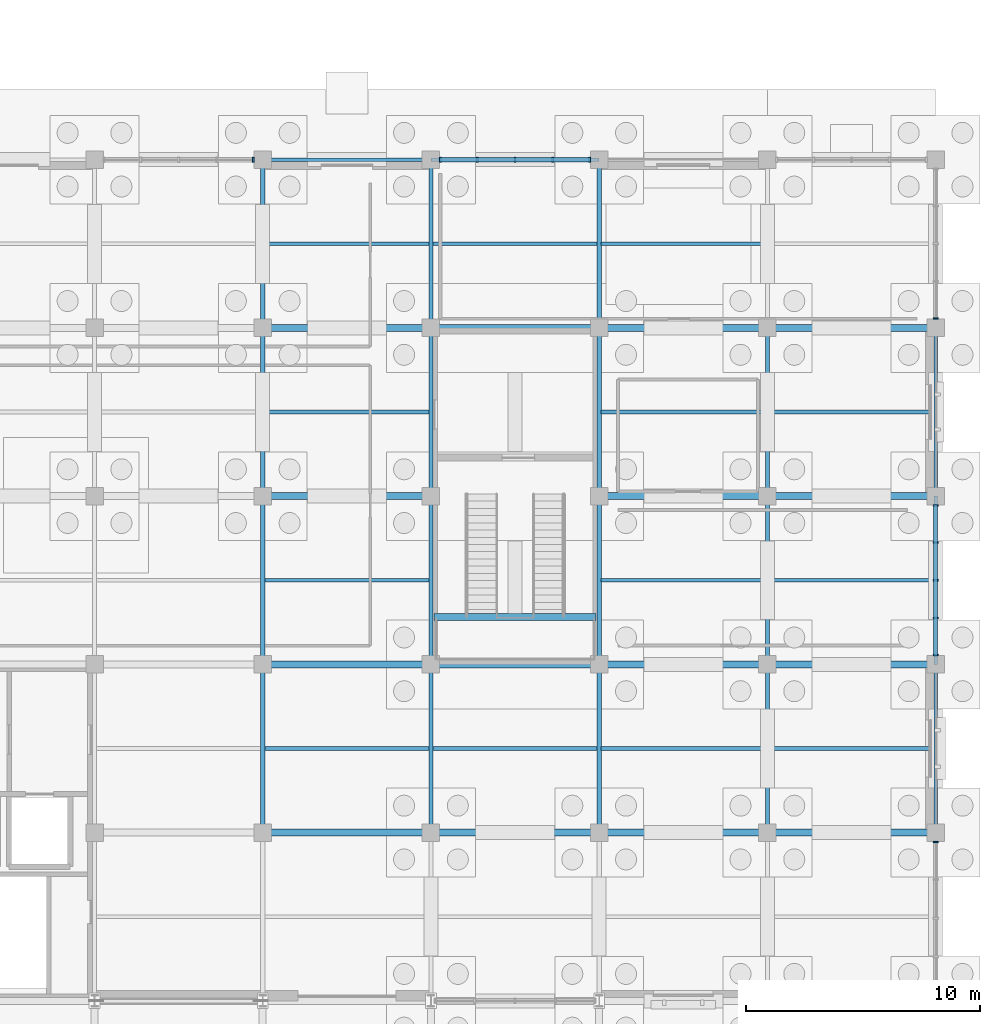
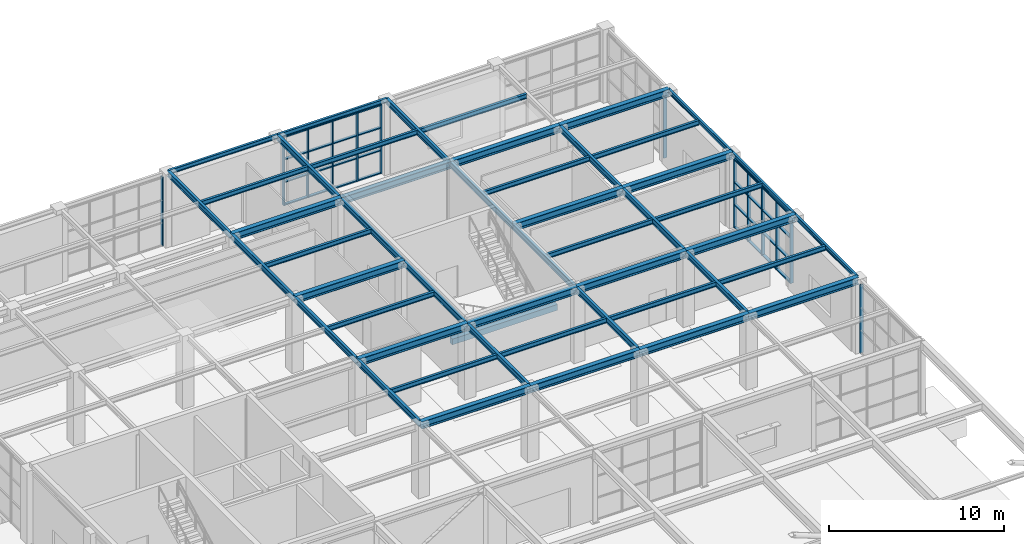
# One storey, part 35 of 75: 49 beams, 21 members, 5 elements without a shape of their own.
"""IFC4 building model written with IfcOpenShell, lengths in metres."""

from ifc_helpers import new_model, si_unit, direction, frame, origin, origin_2d, place, context, subcontext, project, spatial, rectangle, i_section, extrude, material, material_profile, profile_set, type_object, element, aggregate, save


model = new_model("IFC4")

# Units and contexts
model_context = context("Model", 3, precision=1e-05, world=origin(), true_north=direction((0.0, 1.0)))
body_context = subcontext(model_context, "Body", "Model", "MODEL_VIEW")
ifc_project = project(units=[si_unit("LENGTHUNIT", "METRE"), si_unit("AREAUNIT", "SQUARE_METRE"), si_unit("VOLUMEUNIT", "CUBIC_METRE"), si_unit("PLANEANGLEUNIT", "RADIAN"), si_unit("MASSUNIT", "GRAM", prefix="KILO")], contexts=[model_context])

# Site, building, storey
site_placement = place(None, origin())
site = spatial("IfcSite", under=ifc_project, at=site_placement, CompositionType="ELEMENT")
building_placement = place(site_placement, origin())
building = spatial("IfcBuilding", under=site, at=building_placement, Name="Leyfeld Transit Interchange", CompositionType="ELEMENT")
storey_placement = place(building_placement, origin())
storey = spatial("IfcBuildingStorey", under=building, at=storey_placement, Name="L00", CompositionType="ELEMENT", Elevation=0.0)

# Beams
ifc_material_1 = material(Name="Concrete C35/45", Category="concrete")
ifc_material_profile_1 = material_profile(ifc_material_1, rectangle(XDim=0.300048828125, YDim=0.39990234375, at=origin_2d()), Name="RC 400x300")
ifc_profile_set_1 = profile_set([ifc_material_profile_1], Name="Concrete C35/45")
beam_type_1 = type_object("IfcBeamType", Name="BM-RC-400x300", PredefinedType="LINTEL", material=ifc_profile_set_1)
beam_1_placement = place(storey_placement, frame((165.735107421875, 74.030029296875, 2.5), z_axis=(1.0, 0.0, 0.0), x_axis=(0.0, 1.0, 0.0)))
element("IfcBeam", 1, at=beam_1_placement, inside=storey, type_object=beam_type_1, Name="Stair ST-05 L00 Half-Landing Corbel", PredefinedType="LINTEL", context=body_context, shape_type="SweptSolid", body=[
    extrude(rectangle(XDim=0.300048828125, YDim=0.39990234375, at=origin_2d()), origin(), (0.0, 0.0, 1.0), 6.929931640625),
])
ifc_material_2 = material(Name="Steel S355J2", Category="steel")
ifc_material_profile_2 = material_profile(ifc_material_2, i_section(OverallWidth=0.300048828125, OverallDepth=0.5, WebThickness=0.014404296875, FlangeThickness=0.028076171875, FilletRadius=0.027099609375, at=origin_2d()), Name="HEB 500")
ifc_profile_set_2 = profile_set([ifc_material_profile_2], Name="Steel S355J2")
beam_type_2 = type_object("IfcBeamType", Name="BM-STL-HEB500", PredefinedType="JOIST", material=ifc_profile_set_2)
beam_2_placement = place(storey_placement, frame((158.39990234375, 64.800048828125, 4.85009765625), z_axis=(1.0, 0.0, 0.0), x_axis=(0.0, 1.0, 0.0)))
element("IfcBeam", 2, at=beam_2_placement, inside=storey, type_object=beam_type_2, Name="Beam BM-L00-1584_0648-1656_0648", PredefinedType="JOIST", context=body_context, shape_type="SweptSolid", body=[
    extrude(i_section(OverallWidth=0.300048828125, OverallDepth=0.5, WebThickness=0.014404296875, FlangeThickness=0.028076171875, FilletRadius=0.027099609375, at=origin_2d()), origin(), (0.0, 0.0, 1.0), 7.2001953125),
])
for number, where, z_axis, x_axis, name in (
    (3, (165.60009765625, 64.800048828125, 4.85009765625), (1.0, 0.0, 0.0), (0.0, 1.0, 0.0), "Beam BM-L00-1656_0648-1728_0648"),
    (4, (172.800048828125, 64.800048828125, 4.85009765625), (1.0, 0.0, 0.0), (0.0, 1.0, 0.0), "Beam BM-L00-1728_0648-1800_0648"),
    (5, (180.0, 64.800048828125, 4.85009765625), (1.0, 0.0, 0.0), (0.0, 1.0, 0.0), "Beam BM-L00-1800_0648-1872_0648"),
):
    element("IfcBeam", number, at=place(storey_placement, frame(where, z_axis=z_axis, x_axis=x_axis)), inside=storey, type_object=beam_type_2, Name=name, PredefinedType="JOIST", context=body_context, shape_type="SweptSolid", body=[
        extrude(i_section(OverallWidth=0.300048828125, OverallDepth=0.5, WebThickness=0.014404296875, FlangeThickness=0.028076171875, FilletRadius=0.027099609375, at=origin_2d()), origin(), (0.0, 0.0, 1.0), 7.199951171875),
    ])
beam_3_placement = place(storey_placement, frame((158.39990234375, 72.0, 4.85009765625), z_axis=(1.0, 0.0, 0.0), x_axis=(0.0, 1.0, 0.0)))
element("IfcBeam", 6, at=beam_3_placement, inside=storey, type_object=beam_type_2, Name="Beam BM-L00-1584_0720-1656_0720", PredefinedType="JOIST", context=body_context, shape_type="SweptSolid", body=[
    extrude(i_section(OverallWidth=0.300048828125, OverallDepth=0.5, WebThickness=0.014404296875, FlangeThickness=0.028076171875, FilletRadius=0.027099609375, at=origin_2d()), origin(), (0.0, 0.0, 1.0), 7.2001953125),
])
for number, where, z_axis, x_axis, name in (
    (7, (165.60009765625, 72.0, 4.85009765625), (1.0, 0.0, 0.0), (0.0, 1.0, 0.0), "Beam BM-L00-1656_0720-1728_0720"),
    (8, (172.800048828125, 72.0, 4.85009765625), (1.0, 0.0, 0.0), (0.0, 1.0, 0.0), "Beam BM-L00-1728_0720-1800_0720"),
    (9, (180.0, 72.0, 4.85009765625), (1.0, 0.0, 0.0), (0.0, 1.0, 0.0), "Beam BM-L00-1800_0720-1872_0720"),
):
    element("IfcBeam", number, at=place(storey_placement, frame(where, z_axis=z_axis, x_axis=x_axis)), inside=storey, type_object=beam_type_2, Name=name, PredefinedType="JOIST", context=body_context, shape_type="SweptSolid", body=[
        extrude(i_section(OverallWidth=0.300048828125, OverallDepth=0.5, WebThickness=0.014404296875, FlangeThickness=0.028076171875, FilletRadius=0.027099609375, at=origin_2d()), origin(), (0.0, 0.0, 1.0), 7.199951171875),
    ])
beam_4_placement = place(storey_placement, frame((158.39990234375, 79.199951171875, 4.85009765625), z_axis=(1.0, 0.0, 0.0), x_axis=(0.0, 1.0, 0.0)))
element("IfcBeam", 10, at=beam_4_placement, inside=storey, type_object=beam_type_2, Name="Beam BM-L00-1584_0792-1656_0792", PredefinedType="JOIST", context=body_context, shape_type="SweptSolid", body=[
    extrude(i_section(OverallWidth=0.300048828125, OverallDepth=0.5, WebThickness=0.014404296875, FlangeThickness=0.028076171875, FilletRadius=0.027099609375, at=origin_2d()), origin(), (0.0, 0.0, 1.0), 7.2001953125),
])
for number, where, z_axis, x_axis, name in (
    (11, (172.800048828125, 79.199951171875, 4.85009765625), (1.0, 0.0, 0.0), (0.0, 1.0, 0.0), "Beam BM-L00-1728_0792-1800_0792"),
    (12, (180.0, 79.199951171875, 4.85009765625), (1.0, 0.0, 0.0), (0.0, 1.0, 0.0), "Beam BM-L00-1800_0792-1872_0792"),
):
    element("IfcBeam", number, at=place(storey_placement, frame(where, z_axis=z_axis, x_axis=x_axis)), inside=storey, type_object=beam_type_2, Name=name, PredefinedType="JOIST", context=body_context, shape_type="SweptSolid", body=[
        extrude(i_section(OverallWidth=0.300048828125, OverallDepth=0.5, WebThickness=0.014404296875, FlangeThickness=0.028076171875, FilletRadius=0.027099609375, at=origin_2d()), origin(), (0.0, 0.0, 1.0), 7.199951171875),
    ])
beam_5_placement = place(storey_placement, frame((158.39990234375, 86.39990234375, 4.85009765625), z_axis=(1.0, 0.0, 0.0), x_axis=(0.0, 1.0, 0.0)))
element("IfcBeam", 13, at=beam_5_placement, inside=storey, type_object=beam_type_2, Name="Beam BM-L00-1584_0864-1656_0864", PredefinedType="JOIST", context=body_context, shape_type="SweptSolid", body=[
    extrude(i_section(OverallWidth=0.300048828125, OverallDepth=0.5, WebThickness=0.014404296875, FlangeThickness=0.028076171875, FilletRadius=0.027099609375, at=origin_2d()), origin(), (0.0, 0.0, 1.0), 7.2001953125),
])
for number, where, z_axis, x_axis, name in (
    (14, (165.60009765625, 86.39990234375, 4.85009765625), (1.0, 0.0, 0.0), (0.0, 1.0, 0.0), "Beam BM-L00-1656_0864-1728_0864"),
    (15, (172.800048828125, 86.39990234375, 4.85009765625), (1.0, 0.0, 0.0), (0.0, 1.0, 0.0), "Beam BM-L00-1728_0864-1800_0864"),
    (16, (180.0, 86.39990234375, 4.85009765625), (1.0, 0.0, 0.0), (0.0, 1.0, 0.0), "Beam BM-L00-1800_0864-1872_0864"),
):
    element("IfcBeam", number, at=place(storey_placement, frame(where, z_axis=z_axis, x_axis=x_axis)), inside=storey, type_object=beam_type_2, Name=name, PredefinedType="JOIST", context=body_context, shape_type="SweptSolid", body=[
        extrude(i_section(OverallWidth=0.300048828125, OverallDepth=0.5, WebThickness=0.014404296875, FlangeThickness=0.028076171875, FilletRadius=0.027099609375, at=origin_2d()), origin(), (0.0, 0.0, 1.0), 7.199951171875),
    ])
ifc_material_profile_3 = material_profile(ifc_material_2, i_section(OverallWidth=0.14990234375, OverallDepth=0.300048828125, WebThickness=0.007080078125, FlangeThickness=0.0107421875, FilletRadius=0.014892578125, at=origin_2d()), Name="IPE 300")
ifc_profile_set_3 = profile_set([ifc_material_profile_3], Name="Steel S355J2")
beam_type_3 = type_object("IfcBeamType", Name="BM-STL-IPE300", PredefinedType="SPANDREL", material=ifc_profile_set_3)
for number, where, z_axis, x_axis, name in (
    (17, (187.199951171875, 64.800048828125, 4.949951171875), (0.0, 1.0, 0.0), (-1.0, 0.0, 0.0), "Beam BM-L00-1872_0648-1872_0720"),
    (18, (187.199951171875, 72.0, 4.949951171875), (0.0, 1.0, 0.0), (-1.0, 0.0, 0.0), "Beam BM-L00-1872_0720-1872_0792"),
    (19, (187.199951171875, 79.199951171875, 4.949951171875), (0.0, 1.0, 0.0), (-1.0, 0.0, 0.0), "Beam BM-L00-1872_0792-1872_0864"),
):
    element("IfcBeam", number, at=place(storey_placement, frame(where, z_axis=z_axis, x_axis=x_axis)), inside=storey, type_object=beam_type_3, Name=name, PredefinedType="SPANDREL", context=body_context, shape_type="SweptSolid", body=[
        extrude(i_section(OverallWidth=0.14990234375, OverallDepth=0.300048828125, WebThickness=0.007080078125, FlangeThickness=0.0107421875, FilletRadius=0.014892578125, at=origin_2d()), origin(), (0.0, 0.0, 1.0), 7.199951171875),
    ])
beam_6_placement = place(storey_placement, frame((158.39990234375, 93.60009765625, 4.949951171875), z_axis=(1.0, 0.0, 0.0), x_axis=(0.0, 1.0, 0.0)))
element("IfcBeam", 20, at=beam_6_placement, inside=storey, type_object=beam_type_3, Name="Beam BM-L00-1584_0936-1656_0936", PredefinedType="SPANDREL", context=body_context, shape_type="SweptSolid", body=[
    extrude(i_section(OverallWidth=0.14990234375, OverallDepth=0.300048828125, WebThickness=0.007080078125, FlangeThickness=0.0107421875, FilletRadius=0.014892578125, at=origin_2d()), origin(), (0.0, 0.0, 1.0), 7.2001953125),
])
beam_7_placement = place(storey_placement, frame((165.60009765625, 93.60009765625, 4.949951171875), z_axis=(1.0, 0.0, 0.0), x_axis=(0.0, 1.0, 0.0)))
element("IfcBeam", 21, at=beam_7_placement, inside=storey, type_object=beam_type_3, Name="Beam BM-L00-1656_0936-1728_0936", PredefinedType="SPANDREL", context=body_context, shape_type="SweptSolid", body=[
    extrude(i_section(OverallWidth=0.14990234375, OverallDepth=0.300048828125, WebThickness=0.007080078125, FlangeThickness=0.0107421875, FilletRadius=0.014892578125, at=origin_2d()), origin(), (0.0, 0.0, 1.0), 7.199951171875),
])
ifc_material_profile_4 = material_profile(ifc_material_2, i_section(OverallWidth=0.159912109375, OverallDepth=0.330078125, WebThickness=0.007568359375, FlangeThickness=0.011474609375, FilletRadius=0.01806640625, at=origin_2d()), Name="IPE 330")
ifc_profile_set_4 = profile_set([ifc_material_profile_4], Name="Steel S355J2")
beam_type_4 = type_object("IfcBeamType", Name="BM-STL-IPE330", PredefinedType="BEAM", material=ifc_profile_set_4)
for number, where, z_axis, x_axis, name in (
    (22, (158.487060546875, 68.39990234375, 4.93505859375), (1.0, 0.0, 0.0), (0.0, 1.0, 0.0), "Beam BM-L00-1585_0684-1655_0684"),
    (23, (165.68701171875, 68.39990234375, 4.93505859375), (1.0, 0.0, 0.0), (0.0, 1.0, 0.0), "Beam BM-L00-1657_0684-1727_0684"),
):
    element("IfcBeam", number, at=place(storey_placement, frame(where, z_axis=z_axis, x_axis=x_axis)), inside=storey, type_object=beam_type_4, Name=name, PredefinedType="BEAM", context=body_context, shape_type="SweptSolid", body=[
        extrude(i_section(OverallWidth=0.159912109375, OverallDepth=0.330078125, WebThickness=0.007568359375, FlangeThickness=0.011474609375, FilletRadius=0.01806640625, at=origin_2d()), origin(), (0.0, 0.0, 1.0), 7.02587890625),
    ])
beam_8_placement = place(storey_placement, frame((172.886962890625, 68.39990234375, 4.93505859375), z_axis=(1.0, 0.0, 0.0), x_axis=(0.0, 1.0, 0.0)))
element("IfcBeam", 24, at=beam_8_placement, inside=storey, type_object=beam_type_4, Name="Beam BM-L00-1729_0684-1799_0684", PredefinedType="BEAM", context=body_context, shape_type="SweptSolid", body=[
    extrude(i_section(OverallWidth=0.159912109375, OverallDepth=0.330078125, WebThickness=0.007568359375, FlangeThickness=0.011474609375, FilletRadius=0.01806640625, at=origin_2d()), origin(), (0.0, 0.0, 1.0), 7.026123046875),
])
beam_9_placement = place(storey_placement, frame((180.0869140625, 68.39990234375, 4.93505859375), z_axis=(1.0, 0.0, 0.0), x_axis=(0.0, 1.0, 0.0)))
element("IfcBeam", 25, at=beam_9_placement, inside=storey, type_object=beam_type_4, Name="Beam BM-L00-1801_0684-1871_0684", PredefinedType="BEAM", context=body_context, shape_type="SweptSolid", body=[
    extrude(i_section(OverallWidth=0.159912109375, OverallDepth=0.330078125, WebThickness=0.007568359375, FlangeThickness=0.011474609375, FilletRadius=0.01806640625, at=origin_2d()), origin(), (0.0, 0.0, 1.0), 7.041015625),
])
beam_10_placement = place(storey_placement, frame((158.487060546875, 75.60009765625, 4.93505859375), z_axis=(1.0, 0.0, 0.0), x_axis=(0.0, 1.0, 0.0)))
element("IfcBeam", 26, at=beam_10_placement, inside=storey, type_object=beam_type_4, Name="Beam BM-L00-1585_0756-1655_0756", PredefinedType="BEAM", context=body_context, shape_type="SweptSolid", body=[
    extrude(i_section(OverallWidth=0.159912109375, OverallDepth=0.330078125, WebThickness=0.007568359375, FlangeThickness=0.011474609375, FilletRadius=0.01806640625, at=origin_2d()), origin(), (0.0, 0.0, 1.0), 7.02587890625),
])
beam_11_placement = place(storey_placement, frame((172.886962890625, 75.60009765625, 4.93505859375), z_axis=(1.0, 0.0, 0.0), x_axis=(0.0, 1.0, 0.0)))
element("IfcBeam", 27, at=beam_11_placement, inside=storey, type_object=beam_type_4, Name="Beam BM-L00-1729_0756-1799_0756", PredefinedType="BEAM", context=body_context, shape_type="SweptSolid", body=[
    extrude(i_section(OverallWidth=0.159912109375, OverallDepth=0.330078125, WebThickness=0.007568359375, FlangeThickness=0.011474609375, FilletRadius=0.01806640625, at=origin_2d()), origin(), (0.0, 0.0, 1.0), 7.026123046875),
])
beam_12_placement = place(storey_placement, frame((180.0869140625, 75.60009765625, 4.93505859375), z_axis=(1.0, 0.0, 0.0), x_axis=(0.0, 1.0, 0.0)))
element("IfcBeam", 28, at=beam_12_placement, inside=storey, type_object=beam_type_4, Name="Beam BM-L00-1801_0756-1871_0756", PredefinedType="BEAM", context=body_context, shape_type="SweptSolid", body=[
    extrude(i_section(OverallWidth=0.159912109375, OverallDepth=0.330078125, WebThickness=0.007568359375, FlangeThickness=0.011474609375, FilletRadius=0.01806640625, at=origin_2d()), origin(), (0.0, 0.0, 1.0), 7.041015625),
])
beam_13_placement = place(storey_placement, frame((158.487060546875, 82.800048828125, 4.93505859375), z_axis=(1.0, 0.0, 0.0), x_axis=(0.0, 1.0, 0.0)))
element("IfcBeam", 29, at=beam_13_placement, inside=storey, type_object=beam_type_4, Name="Beam BM-L00-1585_0828-1655_0828", PredefinedType="BEAM", context=body_context, shape_type="SweptSolid", body=[
    extrude(i_section(OverallWidth=0.159912109375, OverallDepth=0.330078125, WebThickness=0.007568359375, FlangeThickness=0.011474609375, FilletRadius=0.01806640625, at=origin_2d()), origin(), (0.0, 0.0, 1.0), 7.02587890625),
])
beam_14_placement = place(storey_placement, frame((172.886962890625, 82.800048828125, 4.93505859375), z_axis=(1.0, 0.0, 0.0), x_axis=(0.0, 1.0, 0.0)))
element("IfcBeam", 30, at=beam_14_placement, inside=storey, type_object=beam_type_4, Name="Beam BM-L00-1729_0828-1799_0828", PredefinedType="BEAM", context=body_context, shape_type="SweptSolid", body=[
    extrude(i_section(OverallWidth=0.159912109375, OverallDepth=0.330078125, WebThickness=0.007568359375, FlangeThickness=0.011474609375, FilletRadius=0.01806640625, at=origin_2d()), origin(), (0.0, 0.0, 1.0), 7.026123046875),
])
beam_15_placement = place(storey_placement, frame((180.0869140625, 82.800048828125, 4.93505859375), z_axis=(1.0, 0.0, 0.0), x_axis=(0.0, 1.0, 0.0)))
element("IfcBeam", 31, at=beam_15_placement, inside=storey, type_object=beam_type_4, Name="Beam BM-L00-1801_0828-1871_0828", PredefinedType="BEAM", context=body_context, shape_type="SweptSolid", body=[
    extrude(i_section(OverallWidth=0.159912109375, OverallDepth=0.330078125, WebThickness=0.007568359375, FlangeThickness=0.011474609375, FilletRadius=0.01806640625, at=origin_2d()), origin(), (0.0, 0.0, 1.0), 7.041015625),
])
for number, where, z_axis, x_axis, name in (
    (32, (158.487060546875, 90.0, 4.93505859375), (1.0, 0.0, 0.0), (0.0, 1.0, 0.0), "Beam BM-L00-1585_0900-1655_0900"),
    (33, (165.68701171875, 90.0, 4.93505859375), (1.0, 0.0, 0.0), (0.0, 1.0, 0.0), "Beam BM-L00-1657_0900-1727_0900"),
):
    element("IfcBeam", number, at=place(storey_placement, frame(where, z_axis=z_axis, x_axis=x_axis)), inside=storey, type_object=beam_type_4, Name=name, PredefinedType="BEAM", context=body_context, shape_type="SweptSolid", body=[
        extrude(i_section(OverallWidth=0.159912109375, OverallDepth=0.330078125, WebThickness=0.007568359375, FlangeThickness=0.011474609375, FilletRadius=0.01806640625, at=origin_2d()), origin(), (0.0, 0.0, 1.0), 7.02587890625),
    ])
beam_16_placement = place(storey_placement, frame((172.886962890625, 90.0, 4.93505859375), z_axis=(1.0, 0.0, 0.0), x_axis=(0.0, 1.0, 0.0)))
element("IfcBeam", 34, at=beam_16_placement, inside=storey, type_object=beam_type_4, Name="Beam BM-L00-1729_0900-1799_0900", PredefinedType="BEAM", context=body_context, shape_type="SweptSolid", body=[
    extrude(i_section(OverallWidth=0.159912109375, OverallDepth=0.330078125, WebThickness=0.007568359375, FlangeThickness=0.011474609375, FilletRadius=0.01806640625, at=origin_2d()), origin(), (0.0, 0.0, 1.0), 7.026123046875),
])
ifc_material_profile_5 = material_profile(ifc_material_2, i_section(OverallWidth=0.179931640625, OverallDepth=0.39990234375, WebThickness=0.008544921875, FlangeThickness=0.013427734375, FilletRadius=0.02099609375, at=origin_2d()), Name="IPE 400")
ifc_profile_set_5 = profile_set([ifc_material_profile_5], Name="Steel S355J2")
beam_type_5 = type_object("IfcBeamType", Name="BM-STL-IPE400", PredefinedType="BEAM", material=ifc_profile_set_5)
for number, where, z_axis, x_axis, name in (
    (35, (158.39990234375, 64.800048828125, 4.89990234375), (0.0, 1.0, 0.0), (-1.0, 0.0, 0.0), "Beam BM-L00-1584_0648-1584_0720"),
    (36, (158.39990234375, 72.0, 4.89990234375), (0.0, 1.0, 0.0), (-1.0, 0.0, 0.0), "Beam BM-L00-1584_0720-1584_0792"),
    (37, (158.39990234375, 79.199951171875, 4.89990234375), (0.0, 1.0, 0.0), (-1.0, 0.0, 0.0), "Beam BM-L00-1584_0792-1584_0864"),
):
    element("IfcBeam", number, at=place(storey_placement, frame(where, z_axis=z_axis, x_axis=x_axis)), inside=storey, type_object=beam_type_5, Name=name, PredefinedType="BEAM", context=body_context, shape_type="SweptSolid", body=[
        extrude(i_section(OverallWidth=0.179931640625, OverallDepth=0.39990234375, WebThickness=0.008544921875, FlangeThickness=0.013427734375, FilletRadius=0.02099609375, at=origin_2d()), origin(), (0.0, 0.0, 1.0), 7.199951171875),
    ])
beam_17_placement = place(storey_placement, frame((158.39990234375, 86.39990234375, 4.89990234375), z_axis=(0.0, 1.0, 0.0), x_axis=(-1.0, 0.0, 0.0)))
element("IfcBeam", 38, at=beam_17_placement, inside=storey, type_object=beam_type_5, Name="Beam BM-L00-1584_0864-1584_0936", PredefinedType="BEAM", context=body_context, shape_type="SweptSolid", body=[
    extrude(i_section(OverallWidth=0.179931640625, OverallDepth=0.39990234375, WebThickness=0.008544921875, FlangeThickness=0.013427734375, FilletRadius=0.02099609375, at=origin_2d()), origin(), (0.0, 0.0, 1.0), 7.2001953125),
])
for number, where, z_axis, x_axis, name in (
    (39, (165.60009765625, 64.800048828125, 4.89990234375), (0.0, 1.0, 0.0), (-1.0, 0.0, 0.0), "Beam BM-L00-1656_0648-1656_0720"),
    (40, (165.60009765625, 72.0, 4.89990234375), (0.0, 1.0, 0.0), (-1.0, 0.0, 0.0), "Beam BM-L00-1656_0720-1656_0792"),
    (41, (165.60009765625, 79.199951171875, 4.89990234375), (0.0, 1.0, 0.0), (-1.0, 0.0, 0.0), "Beam BM-L00-1656_0792-1656_0864"),
):
    element("IfcBeam", number, at=place(storey_placement, frame(where, z_axis=z_axis, x_axis=x_axis)), inside=storey, type_object=beam_type_5, Name=name, PredefinedType="BEAM", context=body_context, shape_type="SweptSolid", body=[
        extrude(i_section(OverallWidth=0.179931640625, OverallDepth=0.39990234375, WebThickness=0.008544921875, FlangeThickness=0.013427734375, FilletRadius=0.02099609375, at=origin_2d()), origin(), (0.0, 0.0, 1.0), 7.199951171875),
    ])
beam_18_placement = place(storey_placement, frame((165.60009765625, 86.39990234375, 4.89990234375), z_axis=(0.0, 1.0, 0.0), x_axis=(-1.0, 0.0, 0.0)))
element("IfcBeam", 42, at=beam_18_placement, inside=storey, type_object=beam_type_5, Name="Beam BM-L00-1656_0864-1656_0936", PredefinedType="BEAM", context=body_context, shape_type="SweptSolid", body=[
    extrude(i_section(OverallWidth=0.179931640625, OverallDepth=0.39990234375, WebThickness=0.008544921875, FlangeThickness=0.013427734375, FilletRadius=0.02099609375, at=origin_2d()), origin(), (0.0, 0.0, 1.0), 7.2001953125),
])
for number, where, z_axis, x_axis, name in (
    (43, (172.800048828125, 64.800048828125, 4.89990234375), (0.0, 1.0, 0.0), (-1.0, 0.0, 0.0), "Beam BM-L00-1728_0648-1728_0720"),
    (44, (172.800048828125, 72.0, 4.89990234375), (0.0, 1.0, 0.0), (-1.0, 0.0, 0.0), "Beam BM-L00-1728_0720-1728_0792"),
    (45, (172.800048828125, 79.199951171875, 4.89990234375), (0.0, 1.0, 0.0), (-1.0, 0.0, 0.0), "Beam BM-L00-1728_0792-1728_0864"),
):
    element("IfcBeam", number, at=place(storey_placement, frame(where, z_axis=z_axis, x_axis=x_axis)), inside=storey, type_object=beam_type_5, Name=name, PredefinedType="BEAM", context=body_context, shape_type="SweptSolid", body=[
        extrude(i_section(OverallWidth=0.179931640625, OverallDepth=0.39990234375, WebThickness=0.008544921875, FlangeThickness=0.013427734375, FilletRadius=0.02099609375, at=origin_2d()), origin(), (0.0, 0.0, 1.0), 7.199951171875),
    ])
beam_19_placement = place(storey_placement, frame((172.800048828125, 86.39990234375, 4.89990234375), z_axis=(0.0, 1.0, 0.0), x_axis=(-1.0, 0.0, 0.0)))
element("IfcBeam", 46, at=beam_19_placement, inside=storey, type_object=beam_type_5, Name="Beam BM-L00-1728_0864-1728_0936", PredefinedType="BEAM", context=body_context, shape_type="SweptSolid", body=[
    extrude(i_section(OverallWidth=0.179931640625, OverallDepth=0.39990234375, WebThickness=0.008544921875, FlangeThickness=0.013427734375, FilletRadius=0.02099609375, at=origin_2d()), origin(), (0.0, 0.0, 1.0), 7.2001953125),
])
for number, where, z_axis, x_axis, name in (
    (47, (180.0, 64.800048828125, 4.89990234375), (0.0, 1.0, 0.0), (-1.0, 0.0, 0.0), "Beam BM-L00-1800_0648-1800_0720"),
    (48, (180.0, 72.0, 4.89990234375), (0.0, 1.0, 0.0), (-1.0, 0.0, 0.0), "Beam BM-L00-1800_0720-1800_0792"),
    (49, (180.0, 79.199951171875, 4.89990234375), (0.0, 1.0, 0.0), (-1.0, 0.0, 0.0), "Beam BM-L00-1800_0792-1800_0864"),
):
    element("IfcBeam", number, at=place(storey_placement, frame(where, z_axis=z_axis, x_axis=x_axis)), inside=storey, type_object=beam_type_5, Name=name, PredefinedType="BEAM", context=body_context, shape_type="SweptSolid", body=[
        extrude(i_section(OverallWidth=0.179931640625, OverallDepth=0.39990234375, WebThickness=0.008544921875, FlangeThickness=0.013427734375, FilletRadius=0.02099609375, at=origin_2d()), origin(), (0.0, 0.0, 1.0), 7.199951171875),
    ])

# Curtain wall, member
ifc_material_3 = material(Name="Anodised aluminium EN AW-6060 T66", Category="aluminium")
curtain_wall_type = type_object("IfcCurtainWallType", Name="CW-SYS-BUS-7200", PredefinedType="NOTDEFINED", material=ifc_material_3)
curtain_wall_1_placement = place(storey_placement, origin())
curtain_wall_1 = element("IfcCurtainWall", 50, at=curtain_wall_1_placement, inside=storey, type_object=curtain_wall_type, Name="Curtain Wall CW-L00-041", PredefinedType="NOTDEFINED")
ifc_material_profile_6 = material_profile(ifc_material_3, rectangle(XDim=0.074951171875, YDim=0.219970703125, at=origin_2d()), Name="CW-M 75x220")
ifc_profile_set_6 = profile_set([ifc_material_profile_6], Name="Anodised aluminium EN AW-6060 T66")
member_type_1 = type_object("IfcMemberType", Name="CW-MUL-180x70", PredefinedType="MULLION", material=ifc_profile_set_6)
member_1_placement = place(storey_placement, frame((157.99755859375, 93.60009765625, 0.0), z_axis=(0.0, 0.0, 1.0), x_axis=(1.0, 0.0, 0.0)))
member_1 = element("IfcMember", 51, at=member_1_placement, type_object=member_type_1, Name="Curtain Mullion CW-L00-041-M05", PredefinedType="MULLION", context=body_context, shape_type="SweptSolid", body=[
    extrude(rectangle(XDim=0.074951171875, YDim=0.219970703125, at=origin_2d()), origin(), (0.0, 0.0, 1.0), 4.800048828125),
])
aggregate(curtain_wall_1, [member_1])

# Curtain wall, members
curtain_wall_2_placement = place(storey_placement, origin())
curtain_wall_2 = element("IfcCurtainWall", 52, at=curtain_wall_2_placement, inside=storey, type_object=curtain_wall_type, Name="Curtain Wall CW-L00-042", PredefinedType="NOTDEFINED")
member_2_placement = place(storey_placement, frame((166.00244140625, 93.60009765625, 0.0), z_axis=(0.0, 0.0, 1.0), x_axis=(1.0, 0.0, 0.0)))
member_2 = element("IfcMember", 53, at=member_2_placement, type_object=member_type_1, Name="Curtain Mullion CW-L00-042-M01", PredefinedType="MULLION", context=body_context, shape_type="SweptSolid", body=[
    extrude(rectangle(XDim=0.074951171875, YDim=0.219970703125, at=origin_2d()), origin(), (0.0, 0.0, 1.0), 4.800048828125),
])
member_3_placement = place(storey_placement, frame((167.58251953125, 93.60009765625, 0.0), z_axis=(0.0, 0.0, 1.0), x_axis=(1.0, 0.0, 0.0)))
member_3 = element("IfcMember", 54, at=member_3_placement, type_object=member_type_1, Name="Curtain Mullion CW-L00-042-M02", PredefinedType="MULLION", context=body_context, shape_type="SweptSolid", body=[
    extrude(rectangle(XDim=0.074951171875, YDim=0.219970703125, at=origin_2d()), origin(), (0.0, 0.0, 1.0), 4.800048828125),
])
member_4_placement = place(storey_placement, frame((169.199951171875, 93.60009765625, 0.0), z_axis=(0.0, 0.0, 1.0), x_axis=(1.0, 0.0, 0.0)))
member_4 = element("IfcMember", 55, at=member_4_placement, type_object=member_type_1, Name="Curtain Mullion CW-L00-042-M03", PredefinedType="MULLION", context=body_context, shape_type="SweptSolid", body=[
    extrude(rectangle(XDim=0.074951171875, YDim=0.219970703125, at=origin_2d()), origin(), (0.0, 0.0, 1.0), 4.800048828125),
])
member_5_placement = place(storey_placement, frame((170.8173828125, 93.60009765625, 0.0), z_axis=(0.0, 0.0, 1.0), x_axis=(1.0, 0.0, 0.0)))
member_5 = element("IfcMember", 56, at=member_5_placement, type_object=member_type_1, Name="Curtain Mullion CW-L00-042-M04", PredefinedType="MULLION", context=body_context, shape_type="SweptSolid", body=[
    extrude(rectangle(XDim=0.074951171875, YDim=0.219970703125, at=origin_2d()), origin(), (0.0, 0.0, 1.0), 4.800048828125),
])
member_6_placement = place(storey_placement, frame((172.3974609375, 93.60009765625, 0.0), z_axis=(0.0, 0.0, 1.0), x_axis=(1.0, 0.0, 0.0)))
member_6 = element("IfcMember", 57, at=member_6_placement, type_object=member_type_1, Name="Curtain Mullion CW-L00-042-M05", PredefinedType="MULLION", context=body_context, shape_type="SweptSolid", body=[
    extrude(rectangle(XDim=0.074951171875, YDim=0.219970703125, at=origin_2d()), origin(), (0.0, 0.0, 1.0), 4.800048828125),
])

# Curtain wall, member
curtain_wall_3_placement = place(storey_placement, origin())
curtain_wall_3 = element("IfcCurtainWall", 58, at=curtain_wall_3_placement, inside=storey, type_object=curtain_wall_type, Name="Curtain Wall CW-L00-044", PredefinedType="NOTDEFINED")
member_7_placement = place(storey_placement, frame((187.199951171875, 86.802490234375, 0.0), z_axis=(0.0, 0.0, 1.0), x_axis=(0.0, -1.0, 0.0)))
member_7 = element("IfcMember", 59, at=member_7_placement, type_object=member_type_1, Name="Curtain Mullion CW-L00-044-M05", PredefinedType="MULLION", context=body_context, shape_type="SweptSolid", body=[
    extrude(rectangle(XDim=0.074951171875, YDim=0.219970703125, at=origin_2d()), origin(), (0.0, 0.0, 1.0), 4.77001953125),
])
aggregate(curtain_wall_3, [member_7])

# Curtain wall, members
curtain_wall_4_placement = place(storey_placement, origin())
curtain_wall_4 = element("IfcCurtainWall", 60, at=curtain_wall_4_placement, inside=storey, type_object=curtain_wall_type, Name="Curtain Wall CW-L00-045", PredefinedType="NOTDEFINED")
member_8_placement = place(storey_placement, frame((187.199951171875, 78.797607421875, 0.0), z_axis=(0.0, 0.0, 1.0), x_axis=(0.0, -1.0, 0.0)))
member_8 = element("IfcMember", 61, at=member_8_placement, type_object=member_type_1, Name="Curtain Mullion CW-L00-045-M01", PredefinedType="MULLION", context=body_context, shape_type="SweptSolid", body=[
    extrude(rectangle(XDim=0.074951171875, YDim=0.219970703125, at=origin_2d()), origin(), (0.0, 0.0, 1.0), 4.77001953125),
])
member_9_placement = place(storey_placement, frame((187.199951171875, 77.217529296875, 0.0), z_axis=(0.0, 0.0, 1.0), x_axis=(0.0, -1.0, 0.0)))
member_9 = element("IfcMember", 62, at=member_9_placement, type_object=member_type_1, Name="Curtain Mullion CW-L00-045-M02", PredefinedType="MULLION", context=body_context, shape_type="SweptSolid", body=[
    extrude(rectangle(XDim=0.074951171875, YDim=0.219970703125, at=origin_2d()), origin(), (0.0, 0.0, 1.0), 4.77001953125),
])
member_10_placement = place(storey_placement, frame((187.199951171875, 75.60009765625, 0.0), z_axis=(0.0, 0.0, 1.0), x_axis=(0.0, -1.0, 0.0)))
member_10 = element("IfcMember", 63, at=member_10_placement, type_object=member_type_1, Name="Curtain Mullion CW-L00-045-M03", PredefinedType="MULLION", context=body_context, shape_type="SweptSolid", body=[
    extrude(rectangle(XDim=0.074951171875, YDim=0.219970703125, at=origin_2d()), origin(), (0.0, 0.0, 1.0), 4.77001953125),
])
member_11_placement = place(storey_placement, frame((187.199951171875, 73.982421875, 0.0), z_axis=(0.0, 0.0, 1.0), x_axis=(0.0, -1.0, 0.0)))
member_11 = element("IfcMember", 64, at=member_11_placement, type_object=member_type_1, Name="Curtain Mullion CW-L00-045-M04", PredefinedType="MULLION", context=body_context, shape_type="SweptSolid", body=[
    extrude(rectangle(XDim=0.074951171875, YDim=0.219970703125, at=origin_2d()), origin(), (0.0, 0.0, 1.0), 4.77001953125),
])
member_12_placement = place(storey_placement, frame((187.199951171875, 72.402587890625, 0.0), z_axis=(0.0, 0.0, 1.0), x_axis=(0.0, -1.0, 0.0)))
member_12 = element("IfcMember", 65, at=member_12_placement, type_object=member_type_1, Name="Curtain Mullion CW-L00-045-M05", PredefinedType="MULLION", context=body_context, shape_type="SweptSolid", body=[
    extrude(rectangle(XDim=0.074951171875, YDim=0.219970703125, at=origin_2d()), origin(), (0.0, 0.0, 1.0), 4.77001953125),
])

# Curtain wall, member
curtain_wall_5_placement = place(storey_placement, origin())
curtain_wall_5 = element("IfcCurtainWall", 66, at=curtain_wall_5_placement, inside=storey, type_object=curtain_wall_type, Name="Curtain Wall CW-L00-046", PredefinedType="NOTDEFINED")
member_13_placement = place(storey_placement, frame((187.199951171875, 64.3974609375, 0.0), z_axis=(0.0, 0.0, 1.0), x_axis=(0.0, -1.0, 0.0)))
member_13 = element("IfcMember", 67, at=member_13_placement, type_object=member_type_1, Name="Curtain Mullion CW-L00-046-M01", PredefinedType="MULLION", context=body_context, shape_type="SweptSolid", body=[
    extrude(rectangle(XDim=0.074951171875, YDim=0.219970703125, at=origin_2d()), origin(), (0.0, 0.0, 1.0), 4.77001953125),
])
aggregate(curtain_wall_5, [member_13])

# Member
ifc_material_profile_7 = material_profile(ifc_material_3, rectangle(XDim=0.179931640625, YDim=0.074951171875, at=origin_2d()), Name="CW-TRN-160x70")
ifc_profile_set_7 = profile_set([ifc_material_profile_7], Name="Anodised aluminium EN AW-6060 T66")
member_type_2 = type_object("IfcMemberType", Name="CW-TRN-160x70", PredefinedType="USERDEFINED", material=ifc_profile_set_7)
member_14_placement = place(storey_placement, frame((165.965087890625, 93.60009765625, 0.03759765625), z_axis=(1.0, 0.0, 0.0), x_axis=(0.0, 1.0, 0.0)))
member_14 = element("IfcMember", 68, at=member_14_placement, type_object=member_type_2, Name="Curtain Transom CW-L00-042-T01", ObjectType="TRANSOM", PredefinedType="USERDEFINED", context=body_context, shape_type="SweptSolid", body=[
    extrude(rectangle(XDim=0.179931640625, YDim=0.074951171875, at=origin_2d()), origin(), (0.0, 0.0, 1.0), 6.469970703125),
])

member_15_placement = place(storey_placement, frame((165.965087890625, 93.60009765625, 1.612548828125), z_axis=(1.0, 0.0, 0.0), x_axis=(0.0, 1.0, 0.0)))
member_15 = element("IfcMember", 69, at=member_15_placement, type_object=member_type_2, Name="Curtain Transom CW-L00-042-T02", ObjectType="TRANSOM", PredefinedType="USERDEFINED", context=body_context, shape_type="SweptSolid", body=[
    extrude(rectangle(XDim=0.179931640625, YDim=0.074951171875, at=origin_2d()), origin(), (0.0, 0.0, 1.0), 6.469970703125),
])

member_16_placement = place(storey_placement, frame((165.965087890625, 93.60009765625, 3.1875), z_axis=(1.0, 0.0, 0.0), x_axis=(0.0, 1.0, 0.0)))
member_16 = element("IfcMember", 70, at=member_16_placement, type_object=member_type_2, Name="Curtain Transom CW-L00-042-T03", ObjectType="TRANSOM", PredefinedType="USERDEFINED", context=body_context, shape_type="SweptSolid", body=[
    extrude(rectangle(XDim=0.179931640625, YDim=0.074951171875, at=origin_2d()), origin(), (0.0, 0.0, 1.0), 6.469970703125),
])

member_17_placement = place(storey_placement, frame((165.965087890625, 93.60009765625, 4.762451171875), z_axis=(1.0, 0.0, 0.0), x_axis=(0.0, 1.0, 0.0)))
member_17 = element("IfcMember", 71, at=member_17_placement, type_object=member_type_2, Name="Curtain Transom CW-L00-042-T04", ObjectType="TRANSOM", PredefinedType="USERDEFINED", context=body_context, shape_type="SweptSolid", body=[
    extrude(rectangle(XDim=0.179931640625, YDim=0.074951171875, at=origin_2d()), origin(), (0.0, 0.0, 1.0), 6.469970703125),
])

aggregate(curtain_wall_2, [member_2, member_3, member_4, member_5, member_6, member_14, member_15, member_16, member_17])

member_18_placement = place(storey_placement, frame((187.199951171875, 78.8349609375, 0.03759765625), z_axis=(0.0, -1.0, 0.0), x_axis=(1.0, 0.0, 0.0)))
member_18 = element("IfcMember", 72, at=member_18_placement, type_object=member_type_2, Name="Curtain Transom CW-L00-045-T01", ObjectType="TRANSOM", PredefinedType="USERDEFINED", context=body_context, shape_type="SweptSolid", body=[
    extrude(rectangle(XDim=0.179931640625, YDim=0.074951171875, at=origin_2d()), origin(), (0.0, 0.0, 1.0), 6.469970703125),
])

member_19_placement = place(storey_placement, frame((187.199951171875, 78.8349609375, 1.6025390625), z_axis=(0.0, -1.0, 0.0), x_axis=(1.0, 0.0, 0.0)))
member_19 = element("IfcMember", 73, at=member_19_placement, type_object=member_type_2, Name="Curtain Transom CW-L00-045-T02", ObjectType="TRANSOM", PredefinedType="USERDEFINED", context=body_context, shape_type="SweptSolid", body=[
    extrude(rectangle(XDim=0.179931640625, YDim=0.074951171875, at=origin_2d()), origin(), (0.0, 0.0, 1.0), 6.469970703125),
])

member_20_placement = place(storey_placement, frame((187.199951171875, 78.8349609375, 3.16748046875), z_axis=(0.0, -1.0, 0.0), x_axis=(1.0, 0.0, 0.0)))
member_20 = element("IfcMember", 74, at=member_20_placement, type_object=member_type_2, Name="Curtain Transom CW-L00-045-T03", ObjectType="TRANSOM", PredefinedType="USERDEFINED", context=body_context, shape_type="SweptSolid", body=[
    extrude(rectangle(XDim=0.179931640625, YDim=0.074951171875, at=origin_2d()), origin(), (0.0, 0.0, 1.0), 6.469970703125),
])

member_21_placement = place(storey_placement, frame((187.199951171875, 78.8349609375, 4.732421875), z_axis=(0.0, -1.0, 0.0), x_axis=(1.0, 0.0, 0.0)))
member_21 = element("IfcMember", 75, at=member_21_placement, type_object=member_type_2, Name="Curtain Transom CW-L00-045-T04", ObjectType="TRANSOM", PredefinedType="USERDEFINED", context=body_context, shape_type="SweptSolid", body=[
    extrude(rectangle(XDim=0.179931640625, YDim=0.074951171875, at=origin_2d()), origin(), (0.0, 0.0, 1.0), 6.469970703125),
])

aggregate(curtain_wall_4, [member_8, member_9, member_10, member_11, member_12, member_18, member_19, member_20, member_21])

save(model, "model.ifc")
